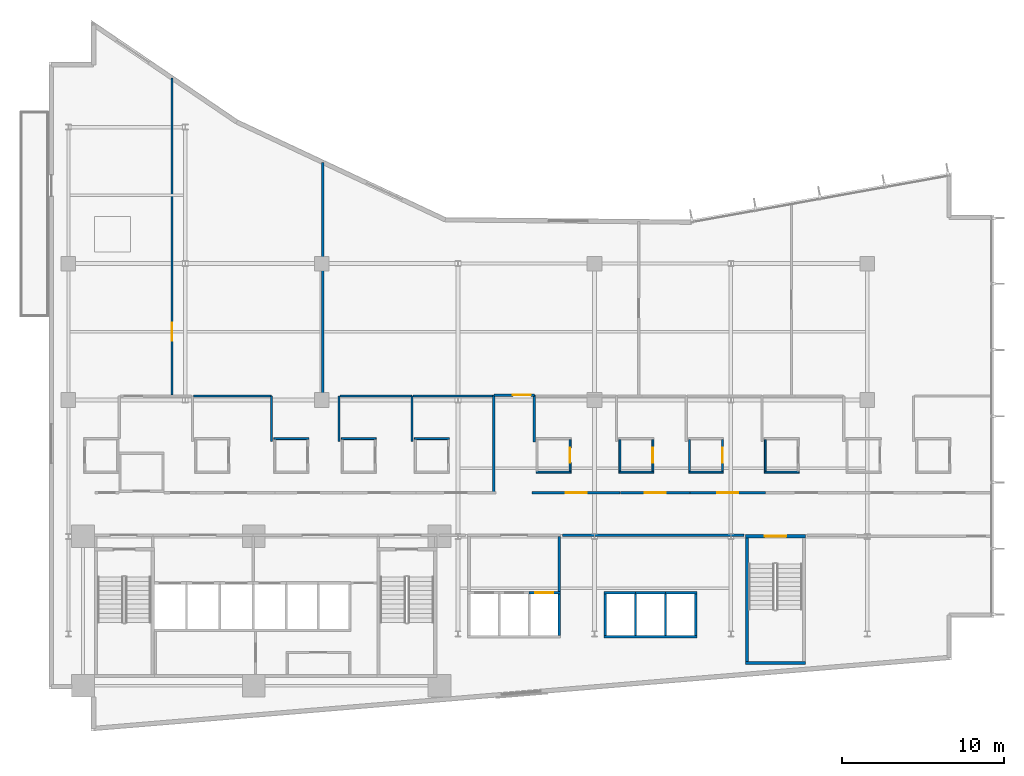
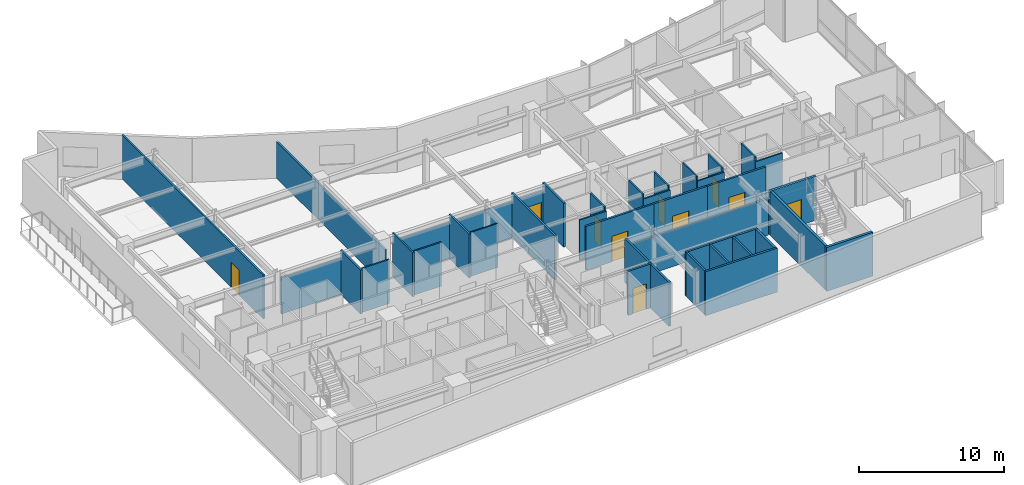
# One storey, part 14 of 21: 42 walls, 10 doors, 10 openings.
"""IFC4 building model written with IfcOpenShell, lengths in metres."""

from ifc_helpers import new_model, si_unit, direction, frame, frame_2d, origin, place, context, subcontext, project, spatial, rectangle, extrude, material, layer, layer_set, type_object, element, fill, save


model = new_model("IFC4")

# Units and contexts
model_context = context("Model", 3, precision=1e-05, world=origin(), true_north=direction((0.0, 1.0)))
body_context = subcontext(model_context, "Body", "Model", "MODEL_VIEW")
ifc_project = project(units=[si_unit("LENGTHUNIT", "METRE"), si_unit("AREAUNIT", "SQUARE_METRE"), si_unit("VOLUMEUNIT", "CUBIC_METRE"), si_unit("PLANEANGLEUNIT", "RADIAN"), si_unit("MASSUNIT", "GRAM", prefix="KILO")], contexts=[model_context])

# Site, building, storey
site_placement = place(None, origin())
site = spatial("IfcSite", under=ifc_project, at=site_placement, CompositionType="ELEMENT")
building_placement = place(site_placement, origin())
building = spatial("IfcBuilding", under=site, at=building_placement, Name="Varnakote Quay Hospital", CompositionType="ELEMENT")
storey_placement = place(building_placement, frame((0.0, 0.0, 42.25)))
storey = spatial("IfcBuildingStorey", under=building, at=storey_placement, Name="L10", CompositionType="ELEMENT", Elevation=42.25)

# Walls
ifc_material_1 = material(Name="Fire-rated acoustic gypsum stud wall", Category="gypsum")
ifc_layer_1 = layer(ifc_material_1, 0.159912109375)
ifc_layer_set_1 = layer_set([ifc_layer_1], Name="Fire-rated acoustic gypsum stud wall")
wall_type_1 = type_object("IfcWallType", Name="WL-COMP-160", PredefinedType="PARTITIONING", material=ifc_layer_set_1)
wall_1_placement = place(storey_placement, frame((31.429931640625, 8.610107421875, 0.0), z_axis=(0.0, 0.0, 1.0), x_axis=(0.0, 1.0, 0.0)))
element("IfcWall", 1, at=wall_1_placement, inside=storey, type_object=wall_type_1, Name="L10 Low-Rise Lift Lobby East Wall", PredefinedType="PARTITIONING", context=body_context, shape_type="SweptSolid", body=[
    extrude(rectangle(XDim=3.389892578125, YDim=0.159912109375, at=frame_2d((1.69482421875, 0.0))), origin(), (0.0, 0.0, 1.0), 3.7099609375),
])
wall_2_placement = place(storey_placement, frame((31.6298828125, 12.080078125, 0.0), z_axis=(0.0, 0.0, 1.0), x_axis=(1.0, 0.0, 0.0)))
element("IfcWall", 2, at=wall_2_placement, inside=storey, type_object=wall_type_1, Name="L10 Corridor South Gap Wall", PredefinedType="PARTITIONING", context=body_context, shape_type="SweptSolid", body=[
    extrude(rectangle(XDim=11.180908203125, YDim=0.159912109375, at=frame_2d((5.59033203125, 0.0))), origin(), (0.0, 0.0, 1.0), 3.072998046875),
])
ifc_material_2 = material(Name="Moisture-resistant bathroom partition", Category="gypsum")
ifc_layer_2 = layer(ifc_material_2, 0.114990234375)
ifc_layer_set_2 = layer_set([ifc_layer_2], Name="Moisture-resistant bathroom partition")
wall_type_2 = type_object("IfcWallType", Name="WL-ENS-115", PredefinedType="PARTITIONING", material=ifc_layer_set_2)
wall_3_placement = place(storey_placement, frame((13.85498046875, 18.017578125, 0.0), z_axis=(0.0, 0.0, 1.0), x_axis=(1.0, 0.0, 0.0)))
element("IfcWall", 3, at=wall_3_placement, inside=storey, type_object=wall_type_2, Name="L10 Inpatient En-Suite Bathroom 03 N Wall", PredefinedType="PARTITIONING", context=body_context, shape_type="SweptSolid", body=[
    extrude(rectangle(XDim=2.14990234375, YDim=0.114990234375, at=frame_2d((1.074951171875, 0.0))), origin(), (0.0, 0.0, 1.0), 3.7099609375),
])
for number, where, z_axis, x_axis, name in (
    (4, (18.0048828125, 18.017578125, 0.0), (0.0, 0.0, 1.0), (1.0, 0.0, 0.0), "L10 Inpatient En-Suite Bathroom 04 N Wall"),
    (5, (22.514892578125, 18.017578125, 0.0), (0.0, 0.0, 1.0), (1.0, 0.0, 0.0), "L10 Inpatient En-Suite Bathroom 05 N Wall"),
):
    element("IfcWall", number, at=place(storey_placement, frame(where, z_axis=z_axis, x_axis=x_axis)), inside=storey, type_object=wall_type_2, Name=name, PredefinedType="PARTITIONING", context=body_context, shape_type="SweptSolid", body=[
        extrude(rectangle(XDim=2.150146484375, YDim=0.114990234375, at=frame_2d((1.0751953125, 0.0))), origin(), (0.0, 0.0, 1.0), 3.7099609375),
    ])
wall_4_placement = place(storey_placement, frame((30.0048828125, 15.952392578125, 0.0), z_axis=(0.0, 0.0, 1.0), x_axis=(1.0, 0.0, 0.0)))
element("IfcWall", 6, at=wall_4_placement, inside=storey, type_object=wall_type_2, Name="L10 Inpatient En-Suite Bathroom 06 S Wall", PredefinedType="PARTITIONING", context=body_context, shape_type="SweptSolid", body=[
    extrude(rectangle(XDim=2.150146484375, YDim=0.114990234375, at=frame_2d((1.0751953125, 0.0))), origin(), (0.0, 0.0, 1.0), 3.381103515625),
])

# Wall, opening, door
wall_5_placement = place(storey_placement, frame((32.097412109375, 16.010009765625, 0.0), z_axis=(0.0, 0.0, 1.0), x_axis=(0.0, 1.0, 0.0)))
wall_5 = element("IfcWall", 7, at=wall_5_placement, inside=storey, type_object=wall_type_2, Name="L10 Inpatient En-Suite Bathroom 06 E Wall", PredefinedType="PARTITIONING", context=body_context, shape_type="SweptSolid", body=[
    extrude(rectangle(XDim=1.949951171875, YDim=0.114990234375, at=frame_2d((0.97509765625, 0.0))), origin(), (0.0, 0.0, 1.0), 3.7099609375),
])
opening_1_placement = place(wall_5_placement, frame((0.514892578125, 0.0, 0.0)))
opening_1 = element("IfcOpeningElement", 8, at=opening_1_placement, cuts=wall_5, Name="Opening D-L10-ENS06", PredefinedType="OPENING", context=body_context, shape_type="SweptSolid", body=[
    extrude(rectangle(XDim=0.919921875, YDim=2.10009765625, at=frame_2d((0.4599609375, 1.050048828125))), frame((0.0, 0.0673828125, 0.0), z_axis=(0.0, -1.0, 0.0), x_axis=(1.0, 0.0, 0.0)), (0.0, 0.0, 1.0), 0.135009765625),
])
ifc_material_3 = material(Name="Moisture-sealed en-suite bathroom door")
door_type_1 = type_object("IfcDoorType", Name="DR-ENS-920x2100", OperationType="NOTDEFINED", PredefinedType="DOOR", material=ifc_material_3)
door_1_placement = place(opening_1_placement, origin())
door_1 = element("IfcDoor", 9, at=door_1_placement, inside=storey, type_object=door_type_1, Name="L10 Inpatient En-Suite Bathroom 06 Door", OperationType="SINGLE_SWING_RIGHT", OverallHeight=2.10009765625, OverallWidth=0.919921875, PredefinedType="DOOR", context=body_context, shape_type="SweptSolid", body=[
    extrude(rectangle(XDim=0.919921875, YDim=2.10009765625, at=frame_2d((0.4599609375, 1.050048828125))), frame((0.0, 0.02490234375, 0.0), z_axis=(0.0, -1.0, 0.0), x_axis=(1.0, 0.0, 0.0)), (0.0, 0.0, 1.0), 0.050048828125),
])
fill(opening_1, door_1)

# Walls
wall_6_placement = place(storey_placement, frame((35.10498046875, 15.952392578125, 0.0), z_axis=(0.0, 0.0, 1.0), x_axis=(1.0, 0.0, 0.0)))
element("IfcWall", 10, at=wall_6_placement, inside=storey, type_object=wall_type_2, Name="L10 Inpatient En-Suite Bathroom 07 S Wall", PredefinedType="PARTITIONING", context=body_context, shape_type="SweptSolid", body=[
    extrude(rectangle(XDim=2.14990234375, YDim=0.114990234375, at=frame_2d((1.074951171875, 0.0))), origin(), (0.0, 0.0, 1.0), 3.381103515625),
])
wall_7_placement = place(storey_placement, frame((35.16259765625, 16.010009765625, 0.0), z_axis=(0.0, 0.0, 1.0), x_axis=(0.0, 1.0, 0.0)))
element("IfcWall", 11, at=wall_7_placement, inside=storey, type_object=wall_type_2, Name="L10 Inpatient En-Suite Bathroom 07 W Wall", PredefinedType="PARTITIONING", context=body_context, shape_type="SweptSolid", body=[
    extrude(rectangle(XDim=1.949951171875, YDim=0.114990234375, at=frame_2d((0.97509765625, 0.0))), origin(), (0.0, 0.0, 1.0), 3.7099609375),
])

# Wall, opening, door
wall_8_placement = place(storey_placement, frame((37.197509765625, 16.010009765625, 0.0), z_axis=(0.0, 0.0, 1.0), x_axis=(0.0, 1.0, 0.0)))
wall_8 = element("IfcWall", 12, at=wall_8_placement, inside=storey, type_object=wall_type_2, Name="L10 Inpatient En-Suite Bathroom 07 E Wall", PredefinedType="PARTITIONING", context=body_context, shape_type="SweptSolid", body=[
    extrude(rectangle(XDim=1.949951171875, YDim=0.114990234375, at=frame_2d((0.97509765625, 0.0))), origin(), (0.0, 0.0, 1.0), 3.7099609375),
])
opening_2_placement = place(wall_8_placement, frame((0.514892578125, 0.0, 0.0)))
opening_2 = element("IfcOpeningElement", 13, at=opening_2_placement, cuts=wall_8, Name="Opening D-L10-ENS07", PredefinedType="OPENING", context=body_context, shape_type="SweptSolid", body=[
    extrude(rectangle(XDim=0.919921875, YDim=2.10009765625, at=frame_2d((0.4599609375, 1.050048828125))), frame((0.0, 0.0673828125, 0.0), z_axis=(0.0, -1.0, 0.0), x_axis=(1.0, 0.0, 0.0)), (0.0, 0.0, 1.0), 0.135009765625),
])
door_2_placement = place(opening_2_placement, origin())
door_2 = element("IfcDoor", 14, at=door_2_placement, inside=storey, type_object=door_type_1, Name="L10 Inpatient En-Suite Bathroom 07 Door", OperationType="SINGLE_SWING_LEFT", OverallHeight=2.10009765625, OverallWidth=0.919921875, PredefinedType="DOOR", context=body_context, shape_type="SweptSolid", body=[
    extrude(rectangle(XDim=0.919921875, YDim=2.10009765625, at=frame_2d((0.4599609375, 1.050048828125))), frame((0.0, 0.02490234375, 0.0), z_axis=(0.0, -1.0, 0.0), x_axis=(1.0, 0.0, 0.0)), (0.0, 0.0, 1.0), 0.050048828125),
])
fill(opening_2, door_2)

# Walls
wall_9_placement = place(storey_placement, frame((39.39501953125, 15.952392578125, 0.0), z_axis=(0.0, 0.0, 1.0), x_axis=(1.0, 0.0, 0.0)))
element("IfcWall", 15, at=wall_9_placement, inside=storey, type_object=wall_type_2, Name="L10 Inpatient En-Suite Bathroom 08 S Wall", PredefinedType="PARTITIONING", context=body_context, shape_type="SweptSolid", body=[
    extrude(rectangle(XDim=2.14990234375, YDim=0.114990234375, at=frame_2d((1.074951171875, 0.0))), origin(), (0.0, 0.0, 1.0), 3.381103515625),
])
wall_10_placement = place(storey_placement, frame((39.452392578125, 16.010009765625, 0.0), z_axis=(0.0, 0.0, 1.0), x_axis=(0.0, 1.0, 0.0)))
element("IfcWall", 16, at=wall_10_placement, inside=storey, type_object=wall_type_2, Name="L10 Inpatient En-Suite Bathroom 08 W Wall", PredefinedType="PARTITIONING", context=body_context, shape_type="SweptSolid", body=[
    extrude(rectangle(XDim=1.949951171875, YDim=0.114990234375, at=frame_2d((0.97509765625, 0.0))), origin(), (0.0, 0.0, 1.0), 3.7099609375),
])

# Wall, opening, door
wall_11_placement = place(storey_placement, frame((41.487548828125, 16.010009765625, 0.0), z_axis=(0.0, 0.0, 1.0), x_axis=(0.0, 1.0, 0.0)))
wall_11 = element("IfcWall", 17, at=wall_11_placement, inside=storey, type_object=wall_type_2, Name="L10 Inpatient En-Suite Bathroom 08 E Wall", PredefinedType="PARTITIONING", context=body_context, shape_type="SweptSolid", body=[
    extrude(rectangle(XDim=1.949951171875, YDim=0.114990234375, at=frame_2d((0.97509765625, 0.0))), origin(), (0.0, 0.0, 1.0), 3.7099609375),
])
opening_3_placement = place(wall_11_placement, frame((0.514892578125, 0.0, 0.0)))
opening_3 = element("IfcOpeningElement", 18, at=opening_3_placement, cuts=wall_11, Name="Opening D-L10-ENS08", PredefinedType="OPENING", context=body_context, shape_type="SweptSolid", body=[
    extrude(rectangle(XDim=0.919921875, YDim=2.10009765625, at=frame_2d((0.4599609375, 1.050048828125))), frame((0.0, 0.0673828125, 0.0), z_axis=(0.0, -1.0, 0.0), x_axis=(1.0, 0.0, 0.0)), (0.0, 0.0, 1.0), 0.135009765625),
])
door_3_placement = place(opening_3_placement, origin())
door_3 = element("IfcDoor", 19, at=door_3_placement, inside=storey, type_object=door_type_1, Name="L10 Inpatient En-Suite Bathroom 08 Door", OperationType="SINGLE_SWING_RIGHT", OverallHeight=2.10009765625, OverallWidth=0.919921875, PredefinedType="DOOR", context=body_context, shape_type="SweptSolid", body=[
    extrude(rectangle(XDim=0.919921875, YDim=2.10009765625, at=frame_2d((0.4599609375, 1.050048828125))), frame((0.0, 0.02490234375, 0.0), z_axis=(0.0, -1.0, 0.0), x_axis=(1.0, 0.0, 0.0)), (0.0, 0.0, 1.0), 0.050048828125),
])
fill(opening_3, door_3)

# Walls
wall_12_placement = place(storey_placement, frame((44.054931640625, 15.952392578125, 0.0), z_axis=(0.0, 0.0, 1.0), x_axis=(1.0, 0.0, 0.0)))
element("IfcWall", 20, at=wall_12_placement, inside=storey, type_object=wall_type_2, Name="L10 Inpatient En-Suite Bathroom 09 S Wall", PredefinedType="PARTITIONING", context=body_context, shape_type="SweptSolid", body=[
    extrude(rectangle(XDim=2.150146484375, YDim=0.114990234375, at=frame_2d((1.0751953125, 0.0))), origin(), (0.0, 0.0, 1.0), 3.381103515625),
])
wall_13_placement = place(storey_placement, frame((44.112548828125, 16.010009765625, 0.0), z_axis=(0.0, 0.0, 1.0), x_axis=(0.0, 1.0, 0.0)))
element("IfcWall", 21, at=wall_13_placement, inside=storey, type_object=wall_type_2, Name="L10 Inpatient En-Suite Bathroom 09 W Wall", PredefinedType="PARTITIONING", context=body_context, shape_type="SweptSolid", body=[
    extrude(rectangle(XDim=1.949951171875, YDim=0.114990234375, at=frame_2d((0.97509765625, 0.0))), origin(), (0.0, 0.0, 1.0), 3.7099609375),
])
ifc_material_4 = material(Name="Concrete N50 (f'c 50 MPa)", Category="concrete")
ifc_layer_3 = layer(ifc_material_4, 0.14990234375)
ifc_layer_set_3 = layer_set([ifc_layer_3], Name="Concrete N50 (f'c 50 MPa)")
wall_type_3 = type_object("IfcWallType", Name="WL-SHAFT-N50-150", PredefinedType="SHEAR", material=ifc_layer_set_3)
for number, where, z_axis, x_axis, name in (
    (22, (36.125, 5.89990234375, 0.0), (0.0, 0.0, 1.0), (0.0, 1.0, 0.0), "L10 LF-PM1 Hoistway Divider Wall"),
    (23, (37.97509765625, 5.89990234375, 0.0), (0.0, 0.0, 1.0), (0.0, 1.0, 0.0), "L10 LF-PM2 Hoistway Divider Wall"),
):
    element("IfcWall", number, at=place(storey_placement, frame(where, z_axis=z_axis, x_axis=x_axis)), inside=storey, type_object=wall_type_3, Name=name, PredefinedType="SHEAR", context=body_context, shape_type="SweptSolid", body=[
        extrude(rectangle(XDim=2.550048828125, YDim=0.14990234375, at=frame_2d((1.27490234375, 0.0))), origin(), (0.0, 0.0, 1.0), 3.7099609375),
    ])
ifc_material_5 = material(Name="Concrete N50 (f'c 50 MPa)", Category="concrete")
ifc_layer_4 = layer(ifc_material_5, 0.159912109375)
ifc_layer_set_4 = layer_set([ifc_layer_4], Name="Concrete N50 (f'c 50 MPa)")
wall_type_4 = type_object("IfcWallType", Name="WL-SHAFT-N50-160", PredefinedType="SHEAR", material=ifc_layer_set_4)
wall_14_placement = place(storey_placement, frame((31.429931640625, 5.89990234375, 0.0), z_axis=(0.0, 0.0, 1.0), x_axis=(0.0, 1.0, 0.0)))
element("IfcWall", 24, at=wall_14_placement, inside=storey, type_object=wall_type_4, Name="L10 LOW Lift Bank East Shear Wall", PredefinedType="SHEAR", context=body_context, shape_type="SweptSolid", body=[
    extrude(rectangle(XDim=2.550048828125, YDim=0.159912109375, at=frame_2d((1.27490234375, 0.0))), origin(), (0.0, 0.0, 1.0), 3.7099609375),
])

# Wall, opening, door
wall_15_placement = place(storey_placement, frame((29.574951171875, 8.530029296875, 0.0), z_axis=(0.0, 0.0, 1.0), x_axis=(1.0, 0.0, 0.0)))
wall_15 = element("IfcWall", 25, at=wall_15_placement, inside=storey, type_object=wall_type_4, Name="L10 LF-PL3 Hoistway Front Wall", PredefinedType="SHEAR", context=body_context, shape_type="SweptSolid", body=[
    extrude(rectangle(XDim=1.93505859375, YDim=0.159912109375, at=frame_2d((0.967529296875, 0.0))), origin(), (0.0, 0.0, 1.0), 3.7099609375),
])
opening_4_placement = place(wall_15_placement, frame((0.375, 0.0, 0.0)))
opening_4 = element("IfcOpeningElement", 26, at=opening_4_placement, cuts=wall_15, Name="Opening LD-PL3-L10", PredefinedType="OPENING", context=body_context, shape_type="SweptSolid", body=[
    extrude(rectangle(XDim=1.10009765625, YDim=2.14990234375, at=frame_2d((0.550048828125, 1.074951171875))), frame((0.0, 0.08984375, 0.0), z_axis=(0.0, -1.0, 0.0), x_axis=(1.0, 0.0, 0.0)), (0.0, 0.0, 1.0), 0.179931640625),
])
ifc_material_6 = material(Name="Brushed bronze lift landing sliding door")
door_type_2 = type_object("IfcDoorType", Name="DR-LIFT-LD-1100x2150", OperationType="NOTDEFINED", PredefinedType="DOOR", material=ifc_material_6)
door_4_placement = place(opening_4_placement, origin())
door_4 = element("IfcDoor", 27, at=door_4_placement, inside=storey, type_object=door_type_2, Name="L10 LF-PL3 Lift Landing Sliding Door", OperationType="SLIDING_TO_LEFT", OverallHeight=2.14990234375, OverallWidth=1.10009765625, PredefinedType="DOOR", context=body_context, shape_type="SweptSolid", body=[
    extrude(rectangle(XDim=1.10009765625, YDim=2.14990234375, at=frame_2d((0.550048828125, 1.074951171875))), frame((0.0, 0.02490234375, 0.0), z_axis=(0.0, -1.0, 0.0), x_axis=(1.0, 0.0, 0.0)), (0.0, 0.0, 1.0), 0.050048828125),
])
fill(opening_4, door_4)

# Walls
wall_16_placement = place(storey_placement, frame((34.18994140625, 5.820068359375, 0.0), z_axis=(0.0, 0.0, 1.0), x_axis=(1.0, 0.0, 0.0)))
element("IfcWall", 28, at=wall_16_placement, inside=storey, type_object=wall_type_4, Name="L10 MID Lift Bank Back Shear Wall", PredefinedType="SHEAR", context=body_context, shape_type="SweptSolid", body=[
    extrude(rectangle(XDim=5.719970703125, YDim=0.159912109375, at=frame_2d((2.85986328125, 0.0))), origin(), (0.0, 0.0, 1.0), 3.7099609375),
])
for number, where, z_axis, x_axis, name in (
    (29, (34.27001953125, 5.89990234375, 0.0), (0.0, 0.0, 1.0), (0.0, 1.0, 0.0), "L10 MID Lift Bank West Shear Wall"),
    (30, (39.830078125, 5.89990234375, 0.0), (0.0, 0.0, 1.0), (0.0, 1.0, 0.0), "L10 MID Lift Bank East Shear Wall"),
):
    element("IfcWall", number, at=place(storey_placement, frame(where, z_axis=z_axis, x_axis=x_axis)), inside=storey, type_object=wall_type_4, Name=name, PredefinedType="SHEAR", context=body_context, shape_type="SweptSolid", body=[
        extrude(rectangle(XDim=2.550048828125, YDim=0.159912109375, at=frame_2d((1.27490234375, 0.0))), origin(), (0.0, 0.0, 1.0), 3.7099609375),
    ])
wall_17_placement = place(storey_placement, frame((34.18994140625, 8.530029296875, 0.0), z_axis=(0.0, 0.0, 1.0), x_axis=(1.0, 0.0, 0.0)))
element("IfcWall", 31, at=wall_17_placement, inside=storey, type_object=wall_type_4, Name="L10 LF-PM1 Hoistway Front Wall", PredefinedType="SHEAR", context=body_context, shape_type="SweptSolid", body=[
    extrude(rectangle(XDim=1.93505859375, YDim=0.159912109375, at=frame_2d((0.967529296875, 0.0))), origin(), (0.0, 0.0, 1.0), 3.7099609375),
])
wall_18_placement = place(storey_placement, frame((36.125, 8.530029296875, 0.0), z_axis=(0.0, 0.0, 1.0), x_axis=(1.0, 0.0, 0.0)))
element("IfcWall", 32, at=wall_18_placement, inside=storey, type_object=wall_type_4, Name="L10 LF-PM2 Hoistway Front Wall", PredefinedType="SHEAR", context=body_context, shape_type="SweptSolid", body=[
    extrude(rectangle(XDim=1.85009765625, YDim=0.159912109375, at=frame_2d((0.925048828125, 0.0))), origin(), (0.0, 0.0, 1.0), 3.7099609375),
])
wall_19_placement = place(storey_placement, frame((37.97509765625, 8.530029296875, 0.0), z_axis=(0.0, 0.0, 1.0), x_axis=(1.0, 0.0, 0.0)))
element("IfcWall", 33, at=wall_19_placement, inside=storey, type_object=wall_type_4, Name="L10 LF-PM3 Hoistway Front Wall", PredefinedType="SHEAR", context=body_context, shape_type="SweptSolid", body=[
    extrude(rectangle(XDim=1.934814453125, YDim=0.159912109375, at=frame_2d((0.96728515625, 0.0))), origin(), (0.0, 0.0, 1.0), 3.7099609375),
])
ifc_material_7 = material(Name="Concrete N50 (f'c 50 MPa)", Category="concrete")
ifc_layer_5 = layer(ifc_material_7, 0.199951171875)
ifc_layer_set_5 = layer_set([ifc_layer_5], Name="Concrete N50 (f'c 50 MPa)")
wall_type_5 = type_object("IfcWallType", Name="WL-SHAFT-N50-200", PredefinedType="SHEAR", material=ifc_layer_set_5)
wall_20_placement = place(storey_placement, frame((42.89990234375, 4.199951171875, 0.0), z_axis=(0.0, 0.0, 1.0), x_axis=(1.0, 0.0, 0.0)))
element("IfcWall", 34, at=wall_20_placement, inside=storey, type_object=wall_type_5, Name="L10 Stair ST3 South Shaft Wall", PredefinedType="SHEAR", context=body_context, shape_type="SweptSolid", body=[
    extrude(rectangle(XDim=3.7001953125, YDim=0.199951171875, at=frame_2d((1.85009765625, 0.0))), origin(), (0.0, 0.0, 1.0), 3.7099609375),
])
wall_21_placement = place(storey_placement, frame((43.0, 4.300048828125, 0.0), z_axis=(0.0, 0.0, 1.0), x_axis=(0.0, 1.0, 0.0)))
element("IfcWall", 35, at=wall_21_placement, inside=storey, type_object=wall_type_5, Name="L10 Stair ST3 West Shaft Wall", PredefinedType="SHEAR", context=body_context, shape_type="SweptSolid", body=[
    extrude(rectangle(XDim=7.599853515625, YDim=0.199951171875, at=frame_2d((3.7998046875, 0.0))), origin(), (0.0, 0.0, 1.0), 3.7099609375),
])

# Wall, opening, door
wall_22_placement = place(storey_placement, frame((42.89990234375, 12.0, 0.0), z_axis=(0.0, 0.0, 1.0), x_axis=(1.0, 0.0, 0.0)))
wall_22 = element("IfcWall", 36, at=wall_22_placement, inside=storey, type_object=wall_type_5, Name="L10 Stair ST3 Exit Wall", PredefinedType="SHEAR", context=body_context, shape_type="SweptSolid", body=[
    extrude(rectangle(XDim=3.7001953125, YDim=0.199951171875, at=frame_2d((1.85009765625, 0.0))), origin(), (0.0, 0.0, 1.0), 3.7099609375),
])
opening_5_placement = place(wall_22_placement, frame((1.199951171875, 0.0, 0.0)))
opening_5 = element("IfcOpeningElement", 37, at=opening_5_placement, cuts=wall_22, Name="Opening D-ST3-L10", PredefinedType="OPENING", context=body_context, shape_type="SweptSolid", body=[
    extrude(rectangle(XDim=1.300048828125, YDim=2.14990234375, at=frame_2d((0.64990234375, 1.074951171875))), frame((0.0, 0.10986328125, 0.0), z_axis=(0.0, -1.0, 0.0), x_axis=(1.0, 0.0, 0.0)), (0.0, 0.0, 1.0), 0.219970703125),
])
ifc_material_8 = material(Name="Fire-rated ceramic-glazed timber exit door", Category="wood")
door_type_3 = type_object("IfcDoorType", Name="DR-STAIR-FD60S-1300x2150", OperationType="NOTDEFINED", PredefinedType="DOOR", material=ifc_material_8)
door_5_placement = place(opening_5_placement, origin())
door_5 = element("IfcDoor", 38, at=door_5_placement, inside=storey, type_object=door_type_3, Name="L10 Stair ST3 Fire Exit Door", OperationType="SINGLE_SWING_RIGHT", OverallHeight=2.14990234375, OverallWidth=1.300048828125, PredefinedType="DOOR", context=body_context, shape_type="SweptSolid", body=[
    extrude(rectangle(XDim=1.300048828125, YDim=2.14990234375, at=frame_2d((0.64990234375, 1.074951171875))), frame((0.0, 0.02490234375, 0.0), z_axis=(0.0, -1.0, 0.0), x_axis=(1.0, 0.0, 0.0)), (0.0, 0.0, 1.0), 0.050048828125),
])
fill(opening_5, door_5)

# Walls
ifc_material_9 = material(Name="Smoke-proof clinical partition", Category="gypsum")
ifc_layer_6 = layer(ifc_material_9, 0.135009765625)
ifc_layer_set_6 = layer_set([ifc_layer_6], Name="Smoke-proof clinical partition")
wall_type_6 = type_object("IfcWallType", Name="WL-SMOKE-135", PredefinedType="PARTITIONING", material=ifc_layer_set_6)
wall_23_placement = place(storey_placement, frame((13.7099609375, 17.83251953125, 0.0), z_axis=(0.0, 0.0, 1.0), x_axis=(0.0, 1.0, 0.0)))
element("IfcWall", 39, at=wall_23_placement, inside=storey, type_object=wall_type_6, Name="L10 Clinical Interior Partition", PredefinedType="PARTITIONING", context=body_context, shape_type="SweptSolid", body=[
    extrude(rectangle(XDim=2.807373046875, YDim=0.135009765625, at=frame_2d((1.40380859375, 0.0))), origin(), (0.0, 0.0, 1.0), 3.7099609375),
])
wall_24_placement = place(storey_placement, frame((13.7099609375, 20.639892578125, 0.0), z_axis=(0.0, 0.0, 1.0), x_axis=(-1.0, 0.0, 0.0)))
element("IfcWall", 40, at=wall_24_placement, inside=storey, type_object=wall_type_6, Name="L10 Clinical Interior Partition", PredefinedType="PARTITIONING", context=body_context, shape_type="SweptSolid", body=[
    extrude(rectangle(XDim=4.8125, YDim=0.135009765625, at=frame_2d((2.40625, 0.0))), origin(), (0.0, 0.0, 1.0), 3.072998046875),
])
for number, where, z_axis, x_axis, name in (
    (41, (17.860107421875, 17.83251953125, 0.0), (0.0, 0.0, 1.0), (0.0, 1.0, 0.0), "L10 Clinical Interior Partition"),
    (42, (22.3701171875, 17.83251953125, 0.0), (0.0, 0.0, 1.0), (0.0, 1.0, 0.0), "L10 Clinical Interior Partition"),
):
    element("IfcWall", number, at=place(storey_placement, frame(where, z_axis=z_axis, x_axis=x_axis)), inside=storey, type_object=wall_type_6, Name=name, PredefinedType="PARTITIONING", context=body_context, shape_type="SweptSolid", body=[
        extrude(rectangle(XDim=2.807373046875, YDim=0.135009765625, at=frame_2d((1.40380859375, 0.0))), origin(), (0.0, 0.0, 1.0), 3.7099609375),
    ])
wall_25_placement = place(storey_placement, frame((22.3701171875, 20.639892578125, 0.0), z_axis=(0.0, 0.0, 1.0), x_axis=(-1.0, 0.0, 0.0)))
element("IfcWall", 43, at=wall_25_placement, inside=storey, type_object=wall_type_6, Name="L10 Clinical Interior Partition", PredefinedType="PARTITIONING", context=body_context, shape_type="SweptSolid", body=[
    extrude(rectangle(XDim=4.45263671875, YDim=0.135009765625, at=frame_2d((2.226318359375, 0.0))), origin(), (0.0, 0.0, 1.0), 3.072998046875),
])
wall_26_placement = place(storey_placement, frame((27.320068359375, 20.639892578125, 0.0), z_axis=(0.0, 0.0, 1.0), x_axis=(-1.0, 0.0, 0.0)))
element("IfcWall", 44, at=wall_26_placement, inside=storey, type_object=wall_type_6, Name="L10 Clinical Interior Partition", PredefinedType="PARTITIONING", context=body_context, shape_type="SweptSolid", body=[
    extrude(rectangle(XDim=4.892578125, YDim=0.135009765625, at=frame_2d((2.4462890625, 0.0))), origin(), (0.0, 0.0, 1.0), 3.072998046875),
])

# Wall, opening, door
wall_27_placement = place(storey_placement, frame((7.580078125, 20.697509765625, 0.0), z_axis=(0.0, 0.0, 1.0), x_axis=(0.0, 1.0, 0.0)))
wall_27 = element("IfcWall", 45, at=wall_27_placement, inside=storey, type_object=wall_type_6, Name="L10 Clinical Interior Partition", PredefinedType="PARTITIONING", context=body_context, shape_type="SweptSolid", body=[
    extrude(rectangle(XDim=19.5244140625, YDim=0.135009765625, at=frame_2d((9.76220703125, 0.0))), origin(), (0.0, 0.0, 1.0), 3.7099609375),
])
opening_6_placement = place(wall_27_placement, frame((3.354248046875, 0.0, 0.0)))
opening_6 = element("IfcOpeningElement", 46, at=opening_6_placement, cuts=wall_27, Name="Opening D-L10-WPNT", PredefinedType="OPENING", context=body_context, shape_type="SweptSolid", body=[
    extrude(rectangle(XDim=1.10009765625, YDim=2.10009765625, at=frame_2d((0.550048828125, 1.050048828125))), frame((0.0, 0.077392578125, 0.0), z_axis=(0.0, -1.0, 0.0), x_axis=(1.0, 0.0, 0.0)), (0.0, 0.0, 1.0), 0.155029296875),
])
ifc_material_10 = material(Name="Acoustic timber clinical consult door", Category="wood")
door_type_4 = type_object("IfcDoorType", Name="DR-CLIN-FD30S-1100x2100", OperationType="NOTDEFINED", PredefinedType="DOOR", material=ifc_material_10)
door_6_placement = place(opening_6_placement, origin())
door_6 = element("IfcDoor", 47, at=door_6_placement, inside=storey, type_object=door_type_4, Name="L10 Ward Clinical Nutrition Pantry Door", OperationType="SINGLE_SWING_LEFT", OverallHeight=2.10009765625, OverallWidth=1.10009765625, PredefinedType="DOOR", context=body_context, shape_type="SweptSolid", body=[
    extrude(rectangle(XDim=1.10009765625, YDim=2.10009765625, at=frame_2d((0.550048828125, 1.050048828125))), frame((0.0, 0.02490234375, 0.0), z_axis=(0.0, -1.0, 0.0), x_axis=(1.0, 0.0, 0.0)), (0.0, 0.0, 1.0), 0.050048828125),
])
fill(opening_6, door_6)

# Wall
wall_28_placement = place(storey_placement, frame((16.8701171875, 19.949951171875, 0.0), z_axis=(0.0, 0.0, 1.0), x_axis=(0.0, 1.0, 0.0)))
element("IfcWall", 48, at=wall_28_placement, inside=storey, type_object=wall_type_6, Name="L10 Clinical Interior Partition", PredefinedType="PARTITIONING", context=body_context, shape_type="SweptSolid", body=[
    extrude(rectangle(XDim=15.076904296875, YDim=0.135009765625, at=frame_2d((7.53857421875, 0.0))), origin(), (0.0, 0.0, 1.0), 3.072998046875),
])

# Wall, opening, door
ifc_material_11 = material(Name="Fire-rated clinical gypsum partition", Category="gypsum")
ifc_layer_7 = layer(ifc_material_11, 0.14990234375)
ifc_layer_set_7 = layer_set([ifc_layer_7], Name="Fire-rated clinical gypsum partition")
wall_type_7 = type_object("IfcWallType", Name="WL-WARD-150", PredefinedType="PARTITIONING", material=ifc_layer_set_7)
wall_29_placement = place(storey_placement, frame((35.18603515625, 14.679931640625, 0.0), z_axis=(0.0, 0.0, 1.0), x_axis=(-1.0, 0.0, 0.0)))
wall_29 = element("IfcWall", 49, at=wall_29_placement, inside=storey, type_object=wall_type_7, Name="L10 Clinical Interior Partition", PredefinedType="PARTITIONING", context=body_context, shape_type="SweptSolid", body=[
    extrude(rectangle(XDim=5.43212890625, YDim=0.14990234375, at=frame_2d((2.716064453125, 0.0))), origin(), (0.0, 0.0, 1.0), 3.7099609375),
])
opening_7_placement = place(wall_29_placement, frame((2.06591796875, 0.0, 0.0)))
opening_7 = element("IfcOpeningElement", 50, at=opening_7_placement, cuts=wall_29, Name="Opening D-L10-BR06", PredefinedType="OPENING", context=body_context, shape_type="SweptSolid", body=[
    extrude(rectangle(XDim=1.300048828125, YDim=2.14990234375, at=frame_2d((0.64990234375, 1.074951171875))), frame((0.0, 0.0849609375, 0.0), z_axis=(0.0, -1.0, 0.0), x_axis=(1.0, 0.0, 0.0)), (0.0, 0.0, 1.0), 0.169921875),
])
ifc_material_12 = material(Name="Solid-core timber clinical bed door", Category="wood")
door_type_5 = type_object("IfcDoorType", Name="DR-WARD-FD30S-1300x2150", OperationType="NOTDEFINED", PredefinedType="DOOR", material=ifc_material_12)
door_7_placement = place(opening_7_placement, origin())
door_7 = element("IfcDoor", 51, at=door_7_placement, inside=storey, type_object=door_type_5, Name="L10 Resident Care Bedroom 06 Door", OperationType="SINGLE_SWING_LEFT", OverallHeight=2.14990234375, OverallWidth=1.300048828125, PredefinedType="DOOR", context=body_context, shape_type="SweptSolid", body=[
    extrude(rectangle(XDim=1.300048828125, YDim=2.14990234375, at=frame_2d((0.64990234375, 1.074951171875))), frame((0.0, 0.02490234375, 0.0), z_axis=(0.0, -1.0, 0.0), x_axis=(1.0, 0.0, 0.0)), (0.0, 0.0, 1.0), 0.050048828125),
])
fill(opening_7, door_7)

wall_30_placement = place(storey_placement, frame((39.47607421875, 14.679931640625, 0.0), z_axis=(0.0, 0.0, 1.0), x_axis=(-1.0, 0.0, 0.0)))
wall_30 = element("IfcWall", 52, at=wall_30_placement, inside=storey, type_object=wall_type_7, Name="L10 Clinical Interior Partition", PredefinedType="PARTITIONING", context=body_context, shape_type="SweptSolid", body=[
    extrude(rectangle(XDim=4.2880859375, YDim=0.14990234375, at=frame_2d((2.14404296875, 0.0))), origin(), (0.0, 0.0, 1.0), 3.7099609375),
])
opening_8_placement = place(wall_30_placement, frame((1.493896484375, 0.0, 0.0)))
opening_8 = element("IfcOpeningElement", 53, at=opening_8_placement, cuts=wall_30, Name="Opening D-L10-BR07", PredefinedType="OPENING", context=body_context, shape_type="SweptSolid", body=[
    extrude(rectangle(XDim=1.300048828125, YDim=2.14990234375, at=frame_2d((0.64990234375, 1.074951171875))), frame((0.0, 0.0849609375, 0.0), z_axis=(0.0, -1.0, 0.0), x_axis=(1.0, 0.0, 0.0)), (0.0, 0.0, 1.0), 0.169921875),
])
door_8_placement = place(opening_8_placement, origin())
door_8 = element("IfcDoor", 54, at=door_8_placement, inside=storey, type_object=door_type_5, Name="L10 Resident Care Bedroom 07 Door", OperationType="SINGLE_SWING_RIGHT", OverallHeight=2.14990234375, OverallWidth=1.300048828125, PredefinedType="DOOR", context=body_context, shape_type="SweptSolid", body=[
    extrude(rectangle(XDim=1.300048828125, YDim=2.14990234375, at=frame_2d((0.64990234375, 1.074951171875))), frame((0.0, 0.02490234375, 0.0), z_axis=(0.0, -1.0, 0.0), x_axis=(1.0, 0.0, 0.0)), (0.0, 0.0, 1.0), 0.050048828125),
])
fill(opening_8, door_8)

wall_31_placement = place(storey_placement, frame((44.135986328125, 14.679931640625, 0.0), z_axis=(0.0, 0.0, 1.0), x_axis=(-1.0, 0.0, 0.0)))
wall_31 = element("IfcWall", 55, at=wall_31_placement, inside=storey, type_object=wall_type_7, Name="L10 Clinical Interior Partition", PredefinedType="PARTITIONING", context=body_context, shape_type="SweptSolid", body=[
    extrude(rectangle(XDim=4.657958984375, YDim=0.14990234375, at=frame_2d((2.3291015625, 0.0))), origin(), (0.0, 0.0, 1.0), 3.7099609375),
])
opening_9_placement = place(wall_31_placement, frame((1.678955078125, 0.0, 0.0)))
opening_9 = element("IfcOpeningElement", 56, at=opening_9_placement, cuts=wall_31, Name="Opening D-L10-BR08", PredefinedType="OPENING", context=body_context, shape_type="SweptSolid", body=[
    extrude(rectangle(XDim=1.300048828125, YDim=2.14990234375, at=frame_2d((0.64990234375, 1.074951171875))), frame((0.0, 0.0849609375, 0.0), z_axis=(0.0, -1.0, 0.0), x_axis=(1.0, 0.0, 0.0)), (0.0, 0.0, 1.0), 0.169921875),
])
door_9_placement = place(opening_9_placement, origin())
door_9 = element("IfcDoor", 57, at=door_9_placement, inside=storey, type_object=door_type_5, Name="L10 Resident Care Bedroom 08 Door", OperationType="SINGLE_SWING_LEFT", OverallHeight=2.14990234375, OverallWidth=1.300048828125, PredefinedType="DOOR", context=body_context, shape_type="SweptSolid", body=[
    extrude(rectangle(XDim=1.300048828125, YDim=2.14990234375, at=frame_2d((0.64990234375, 1.074951171875))), frame((0.0, 0.02490234375, 0.0), z_axis=(0.0, -1.0, 0.0), x_axis=(1.0, 0.0, 0.0)), (0.0, 0.0, 1.0), 0.050048828125),
])
fill(opening_9, door_9)

# Walls
wall_32_placement = place(storey_placement, frame((27.39990234375, 20.699951171875, 0.0), z_axis=(0.0, 0.0, 1.0), x_axis=(0.0, -1.0, 0.0)))
element("IfcWall", 58, at=wall_32_placement, inside=storey, type_object=wall_type_7, Name="L10 Clinical Interior Partition", PredefinedType="PARTITIONING", context=body_context, shape_type="SweptSolid", body=[
    extrude(rectangle(XDim=6.0, YDim=0.14990234375, at=frame_2d((3.0, 0.0))), origin(), (0.0, 0.0, 1.0), 3.7099609375),
])
wall_33_placement = place(storey_placement, frame((29.89990234375, 17.81396484375, 0.0), z_axis=(0.0, 0.0, 1.0), x_axis=(0.0, 1.0, 0.0)))
element("IfcWall", 59, at=wall_33_placement, inside=storey, type_object=wall_type_7, Name="L10 Clinical Interior Partition", PredefinedType="PARTITIONING", context=body_context, shape_type="SweptSolid", body=[
    extrude(rectangle(XDim=2.885986328125, YDim=0.14990234375, at=frame_2d((1.44287109375, 0.0))), origin(), (0.0, 0.0, 1.0), 3.7099609375),
])

# Wall, opening, door
wall_34_placement = place(storey_placement, frame((29.89990234375, 20.699951171875, 0.0), z_axis=(0.0, 0.0, 1.0), x_axis=(-1.0, 0.0, 0.0)))
wall_34 = element("IfcWall", 60, at=wall_34_placement, inside=storey, type_object=wall_type_7, Name="L10 Clinical Interior Partition", PredefinedType="PARTITIONING", context=body_context, shape_type="SweptSolid", body=[
    extrude(rectangle(XDim=2.5, YDim=0.14990234375, at=frame_2d((1.25, 0.0))), origin(), (0.0, 0.0, 1.0), 3.072998046875),
])
opening_10_placement = place(wall_34_placement, frame((0.22509765625, 0.0, 0.0)))
opening_10 = element("IfcOpeningElement", 61, at=opening_10_placement, cuts=wall_34, Name="Opening D-L10-MD02", PredefinedType="OPENING", context=body_context, shape_type="SweptSolid", body=[
    extrude(rectangle(XDim=1.10009765625, YDim=2.10009765625, at=frame_2d((0.550048828125, 1.050048828125))), frame((0.0, 0.0849609375, 0.0), z_axis=(0.0, -1.0, 0.0), x_axis=(1.0, 0.0, 0.0)), (0.0, 0.0, 1.0), 0.169921875),
])
door_10_placement = place(opening_10_placement, origin())
door_10 = element("IfcDoor", 62, at=door_10_placement, inside=storey, type_object=door_type_4, Name="L10 Clinical Governance Office Door", OperationType="SINGLE_SWING_LEFT", OverallHeight=2.10009765625, OverallWidth=1.10009765625, PredefinedType="DOOR", context=body_context, shape_type="SweptSolid", body=[
    extrude(rectangle(XDim=1.10009765625, YDim=2.10009765625, at=frame_2d((0.550048828125, 1.050048828125))), frame((0.0, 0.02490234375, 0.0), z_axis=(0.0, -1.0, 0.0), x_axis=(1.0, 0.0, 0.0)), (0.0, 0.0, 1.0), 0.050048828125),
])
fill(opening_10, door_10)

save(model, "model.ifc")
